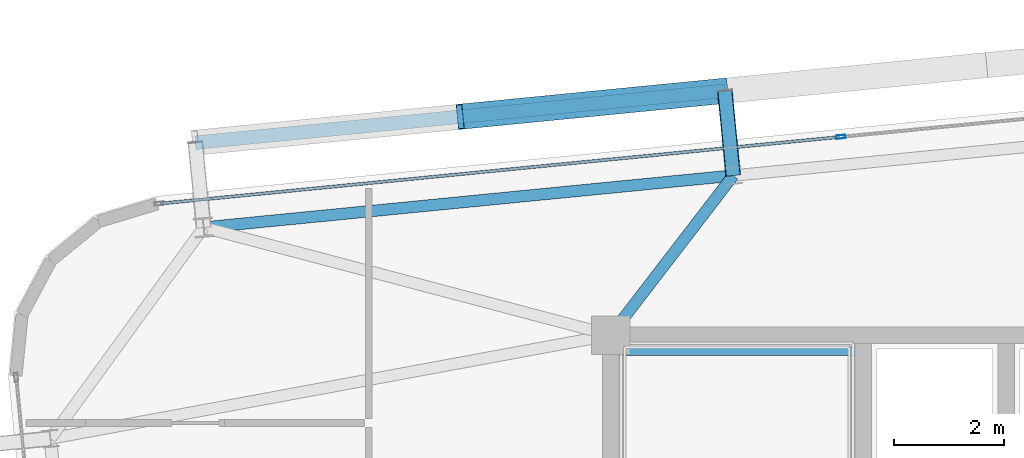
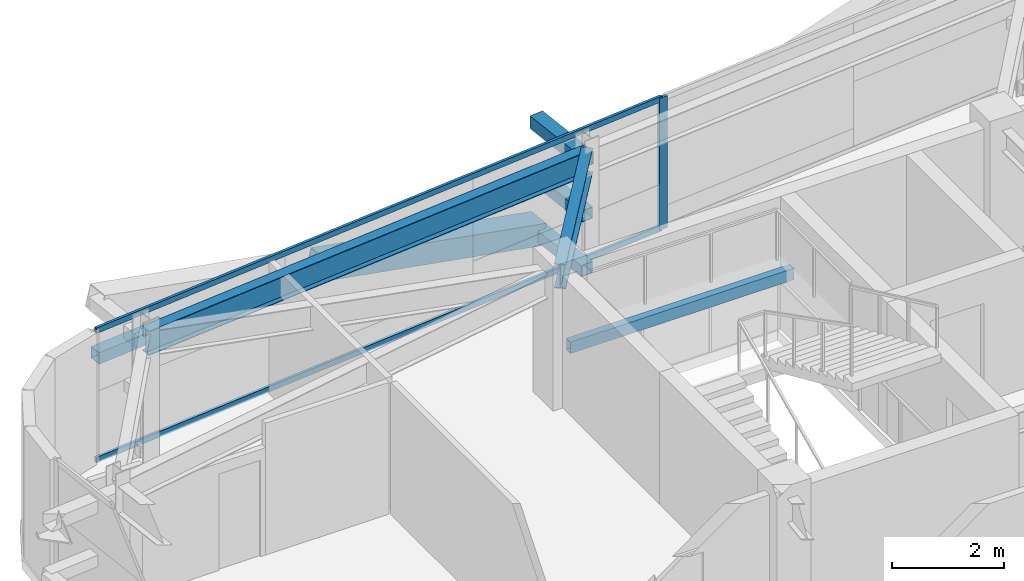
# One storey, part 25 of 47: 8 members, 3 beams, 1 element without a shape of its own.
"""IFC4 building model written with IfcOpenShell, lengths in metres."""

from ifc_helpers import new_model, si_unit, direction, frame, origin, origin_2d, place, context, subcontext, project, spatial, hollow_rectangle, i_section, extrude, source, transform, mapped, material, layer, layer_set, material_profile, profile_set, type_object, element, aggregate, save


model = new_model("IFC4")

# Units and contexts
model_context = context("Model", 3, precision=1e-05, world=origin(), true_north=direction((0.0, 1.0)))
body_context = subcontext(model_context, "Body", "Model", "MODEL_VIEW")
ifc_project = project(units=[si_unit("LENGTHUNIT", "METRE"), si_unit("AREAUNIT", "SQUARE_METRE"), si_unit("VOLUMEUNIT", "CUBIC_METRE"), si_unit("PLANEANGLEUNIT", "RADIAN"), si_unit("MASSUNIT", "GRAM", prefix="KILO")], contexts=[model_context])

# Site, building, storey
site_placement = place(None, origin())
site = spatial("IfcSite", under=ifc_project, at=site_placement, CompositionType="ELEMENT")
building_placement = place(site_placement, origin())
building = spatial("IfcBuilding", under=site, at=building_placement, Name="Taldren Reach Tower", CompositionType="ELEMENT")
storey_placement = place(building_placement, frame((0.0, 0.0, 109.199951171875)))
storey = spatial("IfcBuildingStorey", under=building, at=storey_placement, Name="L33", CompositionType="ELEMENT", Elevation=109.199951171875)

# Beams
ifc_material_1 = material(Name="Steel Gr 350 (350PLUS)", Category="steel")
ifc_material_profile_1 = material_profile(ifc_material_1, i_section(OverallWidth=0.208984375, OverallDepth=0.528076171875, WebThickness=0.009521484375, FlangeThickness=0.01318359375, at=origin_2d()), Name="530UB82.0")
ifc_profile_set_1 = profile_set([ifc_material_profile_1], Name="Steel Gr 350 (350PLUS)")
beam_type_1 = type_object("IfcBeamType", Name="SP-UB530B", PredefinedType="SPANDREL", material=ifc_profile_set_1)
shared_shape_1 = source(origin(), body_context, "Body", "SweptSolid", [
    extrude(i_section(OverallWidth=0.208984375, OverallDepth=0.528076171875, WebThickness=0.009521484375, FlangeThickness=0.01318359375, at=origin_2d()), origin(), (0.0, 0.0, 1.0), 9.679931640625),
])
beam_1_placement = place(storey_placement, frame((21.230712890625, 34.9013671875, 2.60595703125), z_axis=(-0.995227612658, -0.097580730699, 0.0), x_axis=(0.097580730699, -0.995227612658, 0.0)))
element("IfcBeam", 1, at=beam_1_placement, inside=storey, type_object=beam_type_1, Name="Perimeter spandrel B2 N2-N1 L33", PredefinedType="SPANDREL", context=body_context, shape_type="MappedRepresentation", body=[
    mapped(shared_shape_1, transform((0.0, 0.0, 0.0), scale=1.0)),
])
ifc_material_profile_2 = material_profile(ifc_material_1, i_section(OverallWidth=0.208984375, OverallDepth=0.532958984375, WebThickness=0.01025390625, FlangeThickness=0.015625, at=origin_2d()), Name="530UB92.4")
ifc_profile_set_2 = profile_set([ifc_material_profile_2], Name="Steel Gr 350 (350PLUS)")
beam_type_2 = type_object("IfcBeamType", Name="BM-UB530A", PredefinedType="BEAM", material=ifc_profile_set_2)
shared_shape_2 = source(origin(), body_context, "Body", "SweptSolid", [
    extrude(i_section(OverallWidth=0.208984375, OverallDepth=0.532958984375, WebThickness=0.01025390625, FlangeThickness=0.015625, at=origin_2d()), origin(), (0.0, 0.0, 1.0), 3.65966796875),
])
beam_2_placement = place(storey_placement, frame((19.0, 32.0, 2.603515625), z_axis=(0.609520535722, 0.792770279799, 0.0), x_axis=(-0.792770279799, 0.609520535722, 0.0)))
element("IfcBeam", 2, at=beam_2_placement, inside=storey, type_object=beam_type_2, Name="Primary floor girder B2-N2 L33", PredefinedType="BEAM", context=body_context, shape_type="MappedRepresentation", body=[
    mapped(shared_shape_2, transform((0.0, 0.0, 0.0), scale=1.0)),
])

# Members
ifc_material_2 = material(Name="Steel Gr 450 (C450L0)", Category="steel")
ifc_material_profile_3 = material_profile(ifc_material_2, hollow_rectangle(XDim=0.27490234375, YDim=0.27490234375, WallThickness=0.00927734375, at=origin_2d()), Name="275x275x9.3SHS")
ifc_profile_set_3 = profile_set([ifc_material_profile_3], Name="Steel Gr 450 (C450L0)")
member_type_1 = type_object("IfcMemberType", Name="MB-TIE273", PredefinedType="STRUT", material=ifc_profile_set_3)
shared_shape_3 = source(origin(), body_context, "Body", "SweptSolid", [
    extrude(hollow_rectangle(XDim=0.27490234375, YDim=0.27490234375, WallThickness=0.00927734375, at=origin_2d()), origin(), (0.0, 0.0, 1.0), 1.550048828125),
])
member_1_placement = place(storey_placement, frame((21.230712890625, 34.9013671875, 2.590087890625), z_axis=(-0.097647892962, 0.9952210252, 0.0), x_axis=(-0.9952210252, -0.097647892962, 0.0)))
element("IfcMember", 3, at=member_1_placement, inside=storey, type_object=member_type_1, Name="Exoskeleton diaphragm tie strut B2-N2 L33", PredefinedType="STRUT", context=body_context, shape_type="MappedRepresentation", body=[
    mapped(shared_shape_3, transform((0.0, 0.0, 0.0), scale=1.0)),
])
ifc_material_3 = material(Name="Steel Gr 350 (C350L0)", Category="steel")
ifc_material_profile_4 = material_profile(ifc_material_3, hollow_rectangle(XDim=0.25, YDim=0.25, WallThickness=0.010009765625, at=origin_2d()), Name="250x250x10.0SHS")
ifc_profile_set_4 = profile_set([ifc_material_profile_4], Name="Steel Gr 350 (C350L0)")
member_type_2 = type_object("IfcMemberType", Name="MB-POST250", PredefinedType="POST", material=ifc_profile_set_4)
shared_shape_4 = source(origin(), body_context, "Body", "SweptSolid", [
    extrude(hollow_rectangle(XDim=0.25, YDim=0.25, WallThickness=0.010009765625, at=origin_2d()), origin(), (0.0, 0.0, 1.0), 9.679931640625),
])
member_2_placement = place(storey_placement, frame((11.445556640625, 35.49951171875, 1.405029296875), z_axis=(0.995227612658, 0.097580730699, 0.0), x_axis=(-0.097580730699, 0.995227612658, 0.0)))
element("IfcMember", 4, at=member_2_placement, inside=storey, type_object=member_type_2, Name="Exoskeleton mid-height ring chord B2-N1 L33", PredefinedType="POST", context=body_context, shape_type="MappedRepresentation", body=[
    mapped(shared_shape_4, transform((0.0, 0.0, 0.0), scale=1.0)),
])
shared_shape_5 = source(origin(), body_context, "Body", "SweptSolid", [
    extrude(hollow_rectangle(XDim=0.25, YDim=0.25, WallThickness=0.010009765625, at=origin_2d()), origin(), (0.0, 0.0, 1.0), 1.550048828125),
])
for number, where, z_axis, x_axis, name in (
    (5, (21.230712890625, 34.9013671875, 0.219970703125), (-0.097647892962, 0.9952210252, 0.0), (-0.9952210252, -0.097647892962, 0.0), "Exoskeleton base diaphragm tie strut B2-N2 L33"),
    (6, (21.230712890625, 34.9013671875, 1.405029296875), (-0.097647892962, 0.9952210252, 0.0), (-0.9952210252, -0.097647892962, 0.0), "Exoskeleton mid-tier diaphragm tie B2-N2 L33"),
):
    element("IfcMember", number, at=place(storey_placement, frame(where, z_axis=z_axis, x_axis=x_axis)), inside=storey, type_object=member_type_2, Name=name, PredefinedType="POST", context=body_context, shape_type="MappedRepresentation", body=[
        mapped(shared_shape_5, transform((0.0, 0.0, 0.0), scale=1.0)),
    ])
ifc_material_profile_5 = material_profile(ifc_material_2, hollow_rectangle(XDim=0.4599609375, YDim=0.4599609375, WallThickness=0.01611328125, at=origin_2d()), Name="460x460x16.0SHS")
ifc_profile_set_5 = profile_set([ifc_material_profile_5], Name="Steel Gr 450 (C450L0)")
member_type_3 = type_object("IfcMemberType", Name="MB-EXO457", PredefinedType="BRACE", material=ifc_profile_set_5)
shared_shape_6 = source(origin(), body_context, "Body", "SweptSolid", [
    extrude(hollow_rectangle(XDim=0.4599609375, YDim=0.4599609375, WallThickness=0.01611328125, at=origin_2d()), origin(), (0.0, 0.0, 1.0), 4.98291015625),
])
member_3_placement = place(storey_placement, frame((21.079345703125, 36.444091796875, 0.219970703125), z_axis=(-0.966671000152, -0.094805290689, 0.23782164393), x_axis=(0.097605711627, -0.995225162995, 0.0)))
element("IfcMember", 7, at=member_3_placement, inside=storey, type_object=member_type_3, Name="Exoskeleton Diagrid Brace B2-N1 L33", PredefinedType="BRACE", context=body_context, shape_type="MappedRepresentation", body=[
    mapped(shared_shape_6, transform((0.0, 0.0, 0.0), scale=1.0)),
])

# Curtain wall, members
ifc_material_4 = material(Name="Aluminium and Low-E Glass Unitised System", Category="aluminium")
ifc_layer = layer(ifc_material_4, 0.159912109375)
ifc_layer_set = layer_set([ifc_layer], Name="Aluminium and Low-E Glass Unitised System")
curtain_wall_type = type_object("IfcCurtainWallType", Name="CW-SYS-3", PredefinedType="NOTDEFINED", material=ifc_layer_set)
curtain_wall_placement = place(storey_placement, origin())
curtain_wall = element("IfcCurtainWall", 8, at=curtain_wall_placement, inside=storey, type_object=curtain_wall_type, Name="Unitised curtain wall CW-L33-N", PredefinedType="NOTDEFINED")
ifc_material_5 = material(Name="Anodised Aluminium 6063-T6", Category="aluminium")
ifc_material_profile_6 = material_profile(ifc_material_5, hollow_rectangle(XDim=0.06494140625, YDim=0.1650390625, WallThickness=0.00390625, at=origin_2d()), Name="ALU-165x65x4RHS")
ifc_profile_set_6 = profile_set([ifc_material_profile_6], Name="Anodised Aluminium 6063-T6")
member_type_4 = type_object("IfcMemberType", Name="CW-MUL-165", PredefinedType="MULLION", material=ifc_profile_set_6)
shared_shape_7 = source(origin(), body_context, "Body", "SweptSolid", [
    extrude(hollow_rectangle(XDim=0.06494140625, YDim=0.1650390625, WallThickness=0.00390625, at=origin_2d()), origin(), (0.0, 0.0, 1.0), 2.8701171875),
])
member_4_placement = place(storey_placement, frame((23.191162109375, 35.606201171875, 0.0), z_axis=(0.0, 0.0, 1.0), x_axis=(0.097582999046, -0.995227390247, 0.0)))
member_4 = element("IfcMember", 9, at=member_4_placement, type_object=member_type_4, Name="CW-3 mullion 4", PredefinedType="MULLION", context=body_context, shape_type="MappedRepresentation", body=[
    mapped(shared_shape_7, transform((0.0, 0.0, 0.0), scale=1.0)),
])
ifc_material_profile_7 = material_profile(ifc_material_5, hollow_rectangle(XDim=0.054931640625, YDim=0.1201171875, WallThickness=0.0029296875, at=origin_2d()), Name="ALU-120x55x3RHS")
ifc_profile_set_7 = profile_set([ifc_material_profile_7], Name="Anodised Aluminium 6063-T6")
member_type_5 = type_object("IfcMemberType", Name="CW-TRN-135", PredefinedType="USERDEFINED", material=ifc_profile_set_7)
shared_shape_8 = source(origin(), body_context, "Body", "SweptSolid", [
    extrude(hollow_rectangle(XDim=0.054931640625, YDim=0.1201171875, WallThickness=0.0029296875, at=origin_2d()), origin(), (0.0, 0.0, 1.0), 12.40234375),
])
member_5_placement = place(storey_placement, frame((23.158935546875, 35.60302734375, 0.027587890625), z_axis=(-0.995227887927, -0.097577923186, 0.0), x_axis=(0.097577923186, -0.995227887927, 0.0)))
member_5 = element("IfcMember", 10, at=member_5_placement, type_object=member_type_5, Name="CW-3 transom 4.1", ObjectType="TRANSOM", PredefinedType="USERDEFINED", context=body_context, shape_type="MappedRepresentation", body=[
    mapped(shared_shape_8, transform((0.0, 0.0, 0.0), scale=1.0)),
])
member_6_placement = place(storey_placement, frame((23.158935546875, 35.60302734375, 2.842529296875), z_axis=(-0.995227887927, -0.097577923186, 0.0), x_axis=(0.097577923186, -0.995227887927, 0.0)))
member_6 = element("IfcMember", 11, at=member_6_placement, type_object=member_type_5, Name="CW-3 transom 4.2", ObjectType="TRANSOM", PredefinedType="USERDEFINED", context=body_context, shape_type="MappedRepresentation", body=[
    mapped(shared_shape_8, transform((0.0, 0.0, 0.0), scale=1.0)),
])
aggregate(curtain_wall, [member_4, member_5, member_6])

# Beam
ifc_material_profile_8 = material_profile(ifc_material_3, hollow_rectangle(XDim=0.14990234375, YDim=0.25, WallThickness=0.009033203125, at=origin_2d()), Name="250x150x9.0RHS")
ifc_profile_set_8 = profile_set([ifc_material_profile_8], Name="Steel Gr 350 (C350L0)")
beam_type_3 = type_object("IfcBeamType", Name="LN-RHS250", PredefinedType="LINTEL", material=ifc_profile_set_8)
shared_shape_9 = source(origin(), body_context, "Body", "SweptSolid", [
    extrude(hollow_rectangle(XDim=0.14990234375, YDim=0.25, WallThickness=0.009033203125, at=origin_2d()), origin(), (0.0, 0.0, 1.0), 4.60009765625),
])
beam_3_placement = place(storey_placement, frame((19.0, 31.699951171875, 1.27001953125), z_axis=(1.0, 0.0, 0.0), x_axis=(0.0, 1.0, 0.0)))
element("IfcBeam", 12, at=beam_3_placement, inside=storey, type_object=beam_type_3, Name="Stair half-landing support beam ST1-L33-2", PredefinedType="LINTEL", context=body_context, shape_type="MappedRepresentation", body=[
    mapped(shared_shape_9, transform((0.0, 0.0, 0.0), scale=1.0)),
])

save(model, "model.ifc")
